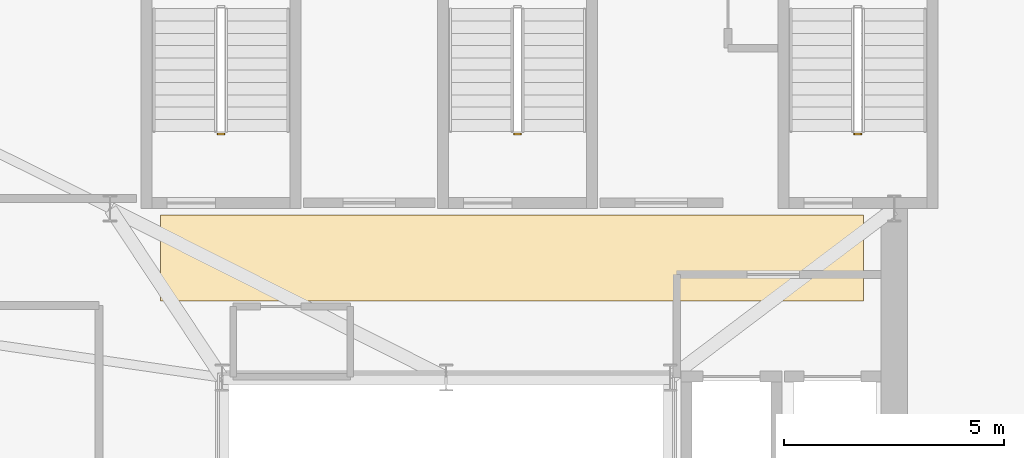
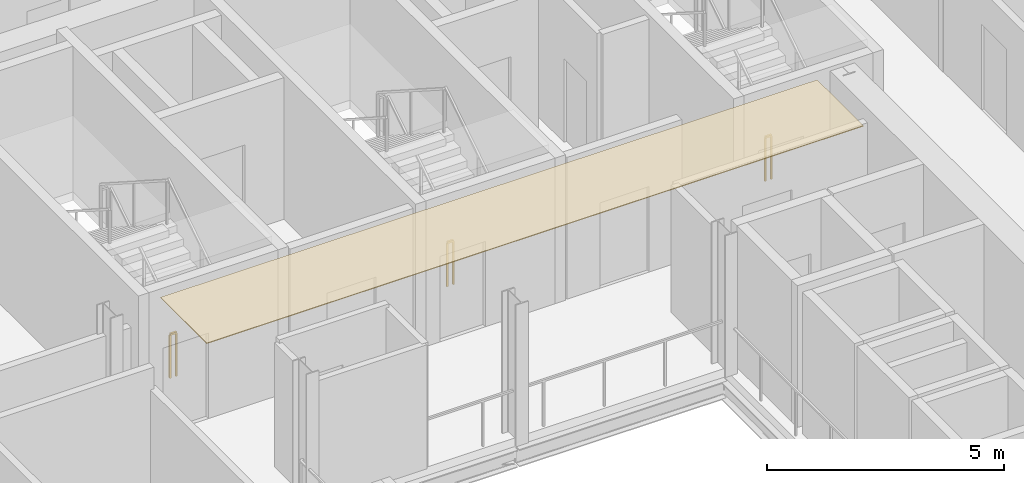
# One storey, part 13 of 15: 3 railings, 1 covering.
"""IFC4 building model written with IfcOpenShell, lengths in metres."""

import ifcopenshell
import ifcopenshell.guid

model = None  # the IFC model being written
_history = None  # IfcOwnerHistory: only IFC2X3 demands one
_inside = {}  # id of a spatial element -> (the spatial element, [elements in it])
_under = {}  # id of a project, library or spatial element -> (it, [spatial elements below it])
_declared = {}  # id of a project -> (the project, [libraries it declares])
_typed = {}  # id of a type object -> (the type object, [elements of that type])
_made_of = {}  # id of a material, layer set ... -> (it, [elements and type objects made of it])


def new_model(schema):
    """Start an empty IFC model of exactly this schema.

    Asked for "IFC4X3", IfcOpenShell would pick the latest addendum, in which some entities
    have other attributes; the version numbers below select the first issue.
    IFC2X3 requires an IfcOwnerHistory on every rooted entity: one is made here for all.
    """
    global model, _history
    if schema == "IFC4X3":
        model = ifcopenshell.file(schema_version=(4, 3, 0, 0))
    else:
        model = ifcopenshell.file(schema=schema)
    _inside.clear()
    _under.clear()
    _declared.clear()
    _typed.clear()
    _made_of.clear()
    _history = None
    if model.schema == "IFC2X3":
        org = make("IfcOrganization", Name="unknown")
        user = make(
            "IfcPersonAndOrganization",
            ThePerson=make("IfcPerson", FamilyName="unknown"),
            TheOrganization=org,
        )
        app = make(
            "IfcApplication",
            ApplicationDeveloper=org,
            Version="unknown",
            ApplicationFullName="unknown",
            ApplicationIdentifier="unknown",
        )
        _history = make(
            "IfcOwnerHistory",
            OwningUser=user,
            OwningApplication=app,
            ChangeAction="ADDED",
            CreationDate=0,
        )
    return model


def make(cls, **values):
    """One entity of the class cls with the attributes given. An attribute that is None is left unset."""
    return model.create_entity(
        cls, **{name: value for name, value in values.items() if value is not None}
    )


def rooted(cls, **values):
    """An entity with a GlobalId (a new one), such as an element, a storey or a relation."""
    return make(cls, GlobalId=ifcopenshell.guid.new(), OwnerHistory=_history, **values)


def si_unit(unit_type, name, prefix=None):
    """IfcSIUnit, for example si_unit("LENGTHUNIT", "METRE", prefix="MILLI")."""
    return make("IfcSIUnit", UnitType=unit_type, Prefix=prefix, Name=name)


def assignment(units):
    """IfcUnitAssignment: the units of a project."""
    return None if units is None else make("IfcUnitAssignment", Units=units)


def point(xyz):
    """IfcCartesianPoint."""
    return None if xyz is None else make("IfcCartesianPoint", Coordinates=xyz)


def direction(xyz):
    """IfcDirection."""
    return None if xyz is None else make("IfcDirection", DirectionRatios=xyz)


def frame(location, z_axis=None, x_axis=None):
    """IfcAxis2Placement3D, a coordinate frame: its origin and axes. An axis left out is left unset."""
    return make(
        "IfcAxis2Placement3D",
        Location=point(location),
        Axis=direction(z_axis),
        RefDirection=direction(x_axis),
    )


def frame_2d(location, x_axis=None):
    """IfcAxis2Placement2D, a coordinate frame in the plane: its origin and x axis."""
    return make(
        "IfcAxis2Placement2D", Location=point(location), RefDirection=direction(x_axis)
    )


def origin():
    """The frame at (0, 0, 0) with its axes left unset."""
    return frame((0.0, 0.0, 0.0))


def origin_2d():
    """The frame at (0, 0) in the plane with its x axis left unset."""
    return frame_2d((0.0, 0.0))


def place(relative_to, where):
    """IfcLocalPlacement: puts the frame where relative to a parent placement (None: the world)."""
    return make(
        "IfcLocalPlacement", PlacementRelTo=relative_to, RelativePlacement=where
    )


def context(
    kind, dimensions, precision=None, world=None, true_north=None, identifier=None
):
    """IfcGeometricRepresentationContext, for example the 3D "Model" context."""
    return make(
        "IfcGeometricRepresentationContext",
        ContextIdentifier=identifier,
        ContextType=kind,
        CoordinateSpaceDimension=dimensions,
        Precision=precision,
        WorldCoordinateSystem=world,
        TrueNorth=true_north,
    )


def subcontext(parent, identifier, kind, view, scale=None):
    """IfcGeometricRepresentationSubContext, for example "Body" below "Model"."""
    return make(
        "IfcGeometricRepresentationSubContext",
        ContextIdentifier=identifier,
        ContextType=kind,
        ParentContext=parent,
        TargetScale=scale,
        TargetView=view,
    )


def project(units=None, contexts=None):
    """IfcProject with its units and contexts."""
    return rooted(
        "IfcProject",
        Name="project",
        RepresentationContexts=contexts,
        UnitsInContext=assignment(units),
    )


def spatial(cls, under=None, at=None, **own):
    """A site, building, storey or space (cls), placed at a placement, below another one or the project."""
    s = rooted(cls, ObjectPlacement=at, **own)
    if under is not None:
        _under.setdefault(under.id(), (under, []))[1].append(s)
    return s


def polyline(points):
    """IfcPolyline through the points."""
    return make("IfcPolyline", Points=[point(p) for p in points])


def profile(cls, at=None, kind="AREA", **sizes):
    """A parametric profile (cls). Its sizes go by their IFC names, for example OverallWidth=200.0."""
    return make(cls, ProfileType=kind, Position=at, **sizes)


def rectangle(**sizes):
    """IfcRectangleProfileDef."""
    return profile("IfcRectangleProfileDef", **sizes)


def outline(outer, holes=None, kind="AREA"):
    """IfcArbitraryClosedProfileDef: a profile drawn as a closed curve; with holes, ...WithVoids."""
    if holes is None:
        return make("IfcArbitraryClosedProfileDef", ProfileType=kind, OuterCurve=outer)
    return make(
        "IfcArbitraryProfileDefWithVoids",
        ProfileType=kind,
        OuterCurve=outer,
        InnerCurves=holes,
    )


def extrude(swept, where, along, depth):
    """IfcExtrudedAreaSolid: the profile swept, set in the frame where, extruded along a direction by depth."""
    return make(
        "IfcExtrudedAreaSolid",
        SweptArea=swept,
        Position=where,
        ExtrudedDirection=direction(along),
        Depth=depth,
    )


def shape(context_of_items, identifier, shape_type, items):
    """IfcShapeRepresentation: the items that make up one representation, for example the "Body"."""
    return make(
        "IfcShapeRepresentation",
        ContextOfItems=context_of_items,
        RepresentationIdentifier=identifier,
        RepresentationType=shape_type,
        Items=items,
    )


def source(mapping_origin, context_of_items, identifier, shape_type, items):
    """IfcRepresentationMap: a shape defined once, which mapped items show again and again."""
    return make(
        "IfcRepresentationMap",
        MappingOrigin=mapping_origin,
        MappedRepresentation=shape(context_of_items, identifier, shape_type, items),
    )


def transform(
    local_origin,
    x_axis=None,
    y_axis=None,
    z_axis=None,
    scale=None,
    scale2=None,
    scale3=None,
    uniform=True,
):
    """IfcCartesianTransformationOperator3D, or its non-uniform kind. x_axis, y_axis, z_axis: its Axis1, 2, 3."""
    if uniform:
        return make(
            "IfcCartesianTransformationOperator3D",
            Axis1=direction(x_axis),
            Axis2=direction(y_axis),
            LocalOrigin=point(local_origin),
            Scale=scale,
            Axis3=direction(z_axis),
        )
    return make(
        "IfcCartesianTransformationOperator3DnonUniform",
        Axis1=direction(x_axis),
        Axis2=direction(y_axis),
        LocalOrigin=point(local_origin),
        Scale=scale,
        Axis3=direction(z_axis),
        Scale2=scale2,
        Scale3=scale3,
    )


def mapped(mapping_source, mapping_target):
    """IfcMappedItem: shows the shape of a source again, moved by a transform."""
    return make(
        "IfcMappedItem", MappingSource=mapping_source, MappingTarget=mapping_target
    )


def material(Name=None, Category=None):
    """IfcMaterial."""
    return make("IfcMaterial", Name=Name, Category=Category)


def layer(
    of_material, thickness, ventilated=None, Name=None, Category=None, Priority=None
):
    """IfcMaterialLayer: one layer of a wall or slab, of a material (None: an air gap)."""
    return make(
        "IfcMaterialLayer",
        Material=of_material,
        LayerThickness=thickness,
        IsVentilated=ventilated,
        Name=Name,
        Category=Category,
        Priority=Priority,
    )


def layer_set(layers, Name=None):
    """IfcMaterialLayerSet."""
    return make("IfcMaterialLayerSet", MaterialLayers=layers, LayerSetName=Name)


def made_of(thing, what):
    """Note that an element or type object is made of a material, layer set ...; save() writes the relation."""
    if what is not None:
        _made_of.setdefault(what.id(), (what, []))[1].append(thing)
    return thing


def type_object(cls, material=None, **own):
    """A type object (cls), such as IfcWallType, which elements share."""
    return made_of(rooted(cls, **own), material)


def element(
    cls,
    number,
    at=None,
    inside=None,
    cuts=None,
    type_object=None,
    material=None,
    context=None,
    identifier="Body",
    shape_type=None,
    held_by="IfcProductDefinitionShape",
    body=None,
    shapes=None,
    **own,
):
    """One element of the class cls, such as IfcWall. Its Tag is "e" and its number.

    at: its placement. inside: the storey or other place that contains it. cuts: it is an
    opening in that element (IfcRelVoidsElement). A single representation is given by context,
    identifier, shape_type and body (its items); several are given by shapes. held_by: the class
    of the entity that holds the representations. save() writes the other relations.
    """
    e = rooted(cls, Tag="e%d" % number, ObjectPlacement=at, **own)
    if body is not None:
        shapes = [shape(context, identifier, shape_type, body)]
    if shapes is not None:
        e.Representation = make(held_by, Representations=shapes)
    if inside is not None:
        _inside.setdefault(inside.id(), (inside, []))[1].append(e)
    if cuts is not None:
        rooted(
            "IfcRelVoidsElement", RelatingBuildingElement=cuts, RelatedOpeningElement=e
        )
    if type_object is not None:
        _typed.setdefault(type_object.id(), (type_object, []))[1].append(e)
    return made_of(e, material)


def aggregate(whole, parts):
    """IfcRelAggregates: a whole, such as a stair, and the parts it consists of."""
    return rooted("IfcRelAggregates", RelatingObject=whole, RelatedObjects=parts)


def save(model, path):
    """Write the relations noted so far, then the file.

    IfcRelAggregates (storeys below a building ...), IfcRelContainedInSpatialStructure (elements
    in a storey), IfcRelDefinesByType, IfcRelAssociatesMaterial and IfcRelDeclares: one each for
    every whole, place, type object, material and project.
    """
    for whole, parts in _under.values():
        aggregate(whole, parts)
    for where, things in _inside.values():
        rooted(
            "IfcRelContainedInSpatialStructure",
            RelatedElements=things,
            RelatingStructure=where,
        )
    for kind, things in _typed.values():
        rooted("IfcRelDefinesByType", RelatedObjects=things, RelatingType=kind)
    for what, things in _made_of.values():
        rooted("IfcRelAssociatesMaterial", RelatedObjects=things, RelatingMaterial=what)
    for by, libraries in _declared.values():
        rooted("IfcRelDeclares", RelatingContext=by, RelatedDefinitions=libraries)
    model.write(path)


model = new_model("IFC4")

# Units and contexts
model_context = context("Model", 3, precision=1e-05, world=origin(), true_north=direction((0.0, 1.0)))
body_context = subcontext(model_context, "Body", "Model", "MODEL_VIEW")
ifc_project = project(units=[si_unit("LENGTHUNIT", "METRE"), si_unit("AREAUNIT", "SQUARE_METRE"), si_unit("VOLUMEUNIT", "CUBIC_METRE"), si_unit("PLANEANGLEUNIT", "RADIAN"), si_unit("MASSUNIT", "GRAM", prefix="KILO")], contexts=[model_context])

# Site, building, storey
site_placement = place(None, origin())
site = spatial("IfcSite", under=ifc_project, at=site_placement, CompositionType="ELEMENT")
building_placement = place(site_placement, origin())
building = spatial("IfcBuilding", under=site, at=building_placement, Name="Vardaveli Station Tower", CompositionType="ELEMENT")
storey_placement = place(building_placement, frame((0.0, 0.0, 250.60009765625)))
storey = spatial("IfcBuildingStorey", under=building, at=storey_placement, Name="L64", CompositionType="ELEMENT", Elevation=250.60009765625)

# Covering
ifc_material_1 = material(Name="Perforated acoustic mineral ceiling")
ifc_layer = layer(ifc_material_1, 0.02001953125, Name="Perforated acoustic mineral ceiling")
ifc_layer_set = layer_set([ifc_layer], Name="Perforated acoustic mineral ceiling")
covering_type = type_object("IfcCoveringType", Name="COV-CEIL-AC20", PredefinedType="CEILING", material=ifc_layer_set)
covering_placement = place(storey_placement, frame((0.0, 0.0, 3.635009765625)))
element("IfcCovering", 1, at=covering_placement, inside=storey, type_object=covering_type, Name="CEIL-L64-6", PredefinedType="CEILING", context=body_context, shape_type="SweptSolid", body=[
    extrude(outline(polyline([(29.800048828125, 28.550048828125), (45.800048828125, 28.550048828125), (45.800048828125, 30.5), (29.800048828125, 30.5), (29.800048828125, 28.550048828125)])), origin(), (0.0, 0.0, 1.0), 0.019775390625),
])

# Railings
ifc_material_2 = material(Name="Brushed AISI 316 stainless steel", Category="steel")
railing_type = type_object("IfcRailingType", Name="RL-GUARD-1150", PredefinedType="GUARDRAIL", material=ifc_material_2)
shared_shape = source(origin(), body_context, "Body", "SweptSolid", [
    extrude(rectangle(XDim=0.048095703125, YDim=0.048095703125, at=origin_2d()), frame((0.0, 0.0, 1.1259765625), z_axis=(-1.0, 0.0, 0.0), x_axis=(0.0, -1.0, 0.0)), (0.0, 0.0, 1.0), 0.14990234375),
    extrude(rectangle(XDim=0.0419921875, YDim=0.0419921875, at=origin_2d()), origin(), (0.0, 0.0, 1.0), 1.101806640625),
    extrude(rectangle(XDim=0.0419921875, YDim=0.0419921875, at=origin_2d()), frame((-0.14990234375, 0.0, 0.0)), (0.0, 0.0, 1.0), 1.101806640625),
])
for number, where, name in (
    (2, (31.25, 32.35009765625, 0.0), "L64 ST-1 stair guard 4"),
    (3, (38.0, 32.35009765625, 0.0), "L64 ST-2 stair guard 4"),
    (4, (45.75, 32.35009765625, 0.0), "L64 ST-3 stair guard 4"),
):
    element("IfcRailing", number, at=place(storey_placement, frame(where)), inside=storey, type_object=railing_type, Name=name, PredefinedType="GUARDRAIL", context=body_context, shape_type="MappedRepresentation", body=[
        mapped(shared_shape, transform((0.0, 0.0, 0.0), scale=1.0)),
    ])

save(model, "model.ifc")
